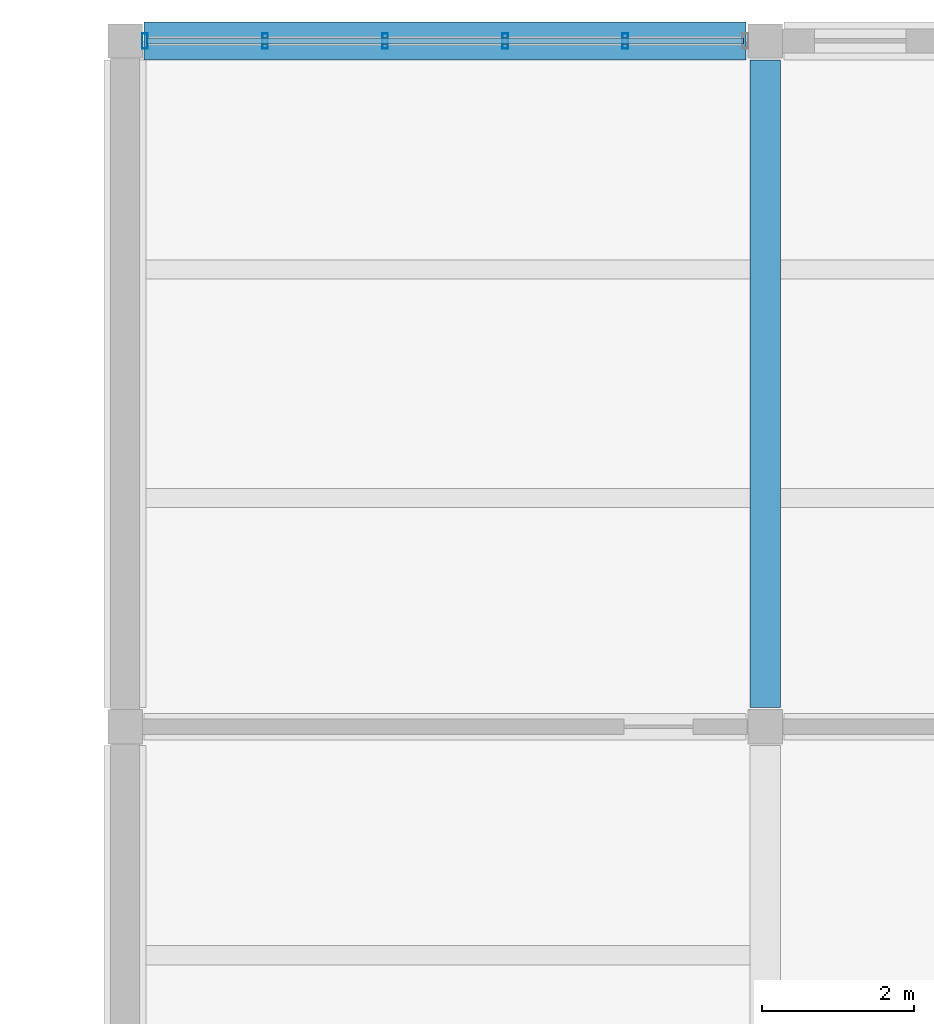
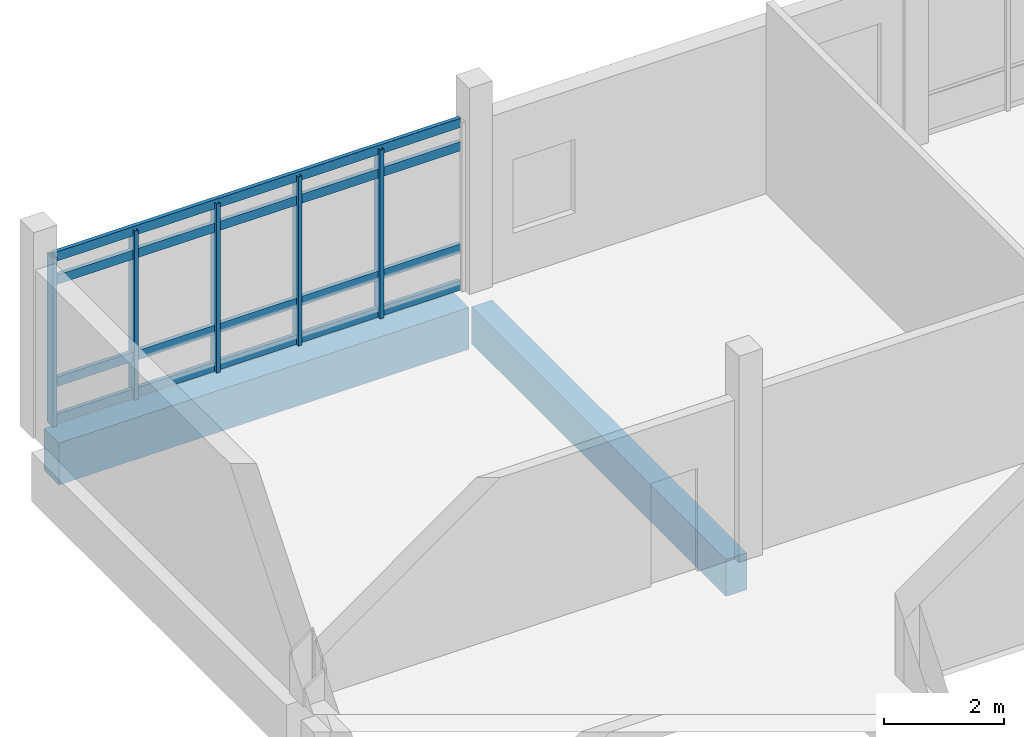
# One storey, part 35 of 62: 9 members, 2 beams, 1 element without a shape of its own.
"""IFC4 building model written with IfcOpenShell, lengths in metres."""

from ifc_helpers import new_model, si_unit, direction, frame, origin, origin_2d, place, context, subcontext, project, spatial, rectangle, hollow_rectangle, extrude, material, layer, layer_set, material_profile, profile_set, type_object, element, aggregate, save


model = new_model("IFC4")

# Units and contexts
model_context = context("Model", 3, precision=1e-05, world=origin(), true_north=direction((0.0, 1.0)))
body_context = subcontext(model_context, "Body", "Model", "MODEL_VIEW")
ifc_project = project(units=[si_unit("LENGTHUNIT", "METRE"), si_unit("AREAUNIT", "SQUARE_METRE"), si_unit("VOLUMEUNIT", "CUBIC_METRE"), si_unit("PLANEANGLEUNIT", "RADIAN"), si_unit("MASSUNIT", "GRAM", prefix="KILO")], contexts=[model_context])

# Site, building, storey
site_placement = place(None, origin())
site = spatial("IfcSite", under=ifc_project, at=site_placement, CompositionType="ELEMENT")
building_placement = place(site_placement, origin())
building = spatial("IfcBuilding", under=site, at=building_placement, Name="Vireocrest Preparatory School", CompositionType="ELEMENT")
storey_placement = place(building_placement, frame((0.0, 0.0, 17.39990234375)))
storey = spatial("IfcBuildingStorey", under=building, at=storey_placement, Name="L04", CompositionType="ELEMENT", Elevation=17.39990234375)

# Curtain wall, members
ifc_material_1 = material(Name="Thermally broken aluminium EN AW-6063-T6", Category="aluminium")
ifc_layer = layer(ifc_material_1, 0.179931640625)
ifc_layer_set = layer_set([ifc_layer], Name="Thermally broken aluminium EN AW-6063-T6")
curtain_wall_type = type_object("IfcCurtainWallType", Name="North Street Curtain Wall 8400x4000", PredefinedType="USERDEFINED", material=ifc_layer_set)
curtain_wall_placement = place(storey_placement, origin())
curtain_wall = element("IfcCurtainWall", 1, at=curtain_wall_placement, inside=storey, type_object=curtain_wall_type, Name="Curtain Wall CW05 CW_L04_CW05_0422_1128_174", ObjectType="CURTAIN WALL", PredefinedType="USERDEFINED")
ifc_material_profile_1 = material_profile(ifc_material_1, hollow_rectangle(XDim=0.074951171875, YDim=0.199951171875, WallThickness=0.0048828125, at=origin_2d()), Name="ALU 75x200x5")
ifc_profile_set_1 = profile_set([ifc_material_profile_1], Name="Thermally broken aluminium EN AW-6063-T6")
member_type_1 = type_object("IfcMemberType", Name="CW Mullion 75x200x5", PredefinedType="MULLION", material=ifc_profile_set_1)
member_1_placement = place(storey_placement, frame((42.260009765625, 112.800048828125, 0.0), z_axis=(0.0, 0.0, 1.0), x_axis=(1.0, 0.0, 0.0)))
member_1 = element("IfcMember", 2, at=member_1_placement, type_object=member_type_1, Name="CW Mullion ML3 CW_L04_CW05_0422_1128_174-1", PredefinedType="MULLION", context=body_context, shape_type="SweptSolid", body=[
    extrude(hollow_rectangle(XDim=0.074951171875, YDim=0.199951171875, WallThickness=0.0048828125, at=origin_2d()), origin(), (0.0, 0.0, 1.0), 3.445068359375),
])
member_2_placement = place(storey_placement, frame((43.8359375, 112.800048828125, 0.0), z_axis=(0.0, 0.0, 1.0), x_axis=(1.0, 0.0, 0.0)))
member_2 = element("IfcMember", 3, at=member_2_placement, type_object=member_type_1, Name="CW Mullion ML3 CW_L04_CW05_0422_1128_174-2", PredefinedType="MULLION", context=body_context, shape_type="SweptSolid", body=[
    extrude(hollow_rectangle(XDim=0.074951171875, YDim=0.199951171875, WallThickness=0.0048828125, at=origin_2d()), origin(), (0.0, 0.0, 1.0), 3.445068359375),
])
member_3_placement = place(storey_placement, frame((45.412109375, 112.800048828125, 0.0), z_axis=(0.0, 0.0, 1.0), x_axis=(1.0, 0.0, 0.0)))
member_3 = element("IfcMember", 4, at=member_3_placement, type_object=member_type_1, Name="CW Mullion ML3 CW_L04_CW05_0422_1128_174-3", PredefinedType="MULLION", context=body_context, shape_type="SweptSolid", body=[
    extrude(hollow_rectangle(XDim=0.074951171875, YDim=0.199951171875, WallThickness=0.0048828125, at=origin_2d()), origin(), (0.0, 0.0, 1.0), 3.445068359375),
])
member_4_placement = place(storey_placement, frame((46.988037109375, 112.800048828125, 0.0), z_axis=(0.0, 0.0, 1.0), x_axis=(1.0, 0.0, 0.0)))
member_4 = element("IfcMember", 5, at=member_4_placement, type_object=member_type_1, Name="CW Mullion ML3 CW_L04_CW05_0422_1128_174-4", PredefinedType="MULLION", context=body_context, shape_type="SweptSolid", body=[
    extrude(hollow_rectangle(XDim=0.074951171875, YDim=0.199951171875, WallThickness=0.0048828125, at=origin_2d()), origin(), (0.0, 0.0, 1.0), 3.445068359375),
])
member_5_placement = place(storey_placement, frame((48.56396484375, 112.800048828125, 0.0), z_axis=(0.0, 0.0, 1.0), x_axis=(1.0, 0.0, 0.0)))
member_5 = element("IfcMember", 6, at=member_5_placement, type_object=member_type_1, Name="CW Mullion ML3 CW_L04_CW05_0422_1128_174-5", PredefinedType="MULLION", context=body_context, shape_type="SweptSolid", body=[
    extrude(hollow_rectangle(XDim=0.074951171875, YDim=0.199951171875, WallThickness=0.0048828125, at=origin_2d()), origin(), (0.0, 0.0, 1.0), 3.445068359375),
])
ifc_material_profile_2 = material_profile(ifc_material_1, hollow_rectangle(XDim=0.074951171875, YDim=0.18994140625, WallThickness=0.00390625, at=origin_2d()), Name="ALU 75x190x4")
ifc_profile_set_2 = profile_set([ifc_material_profile_2], Name="Thermally broken aluminium EN AW-6063-T6")
member_type_2 = type_object("IfcMemberType", Name="CW Transom 75x190x4", PredefinedType="USERDEFINED", material=ifc_profile_set_2)
member_6_placement = place(storey_placement, frame((42.284912109375, 112.800048828125, 0.09521484375), z_axis=(1.0, 0.0, 0.0), x_axis=(0.0, 1.0, 0.0)))
member_6 = element("IfcMember", 7, at=member_6_placement, type_object=member_type_2, Name="CW Transom TR3 CW_L04_CW05_0422_1128_174-1", ObjectType="TRANSOM", PredefinedType="USERDEFINED", context=body_context, shape_type="SweptSolid", body=[
    extrude(hollow_rectangle(XDim=0.074951171875, YDim=0.18994140625, WallThickness=0.00390625, at=origin_2d()), origin(), (0.0, 0.0, 1.0), 7.830078125),
])
member_7_placement = place(storey_placement, frame((42.284912109375, 112.800048828125, 0.85009765625), z_axis=(1.0, 0.0, 0.0), x_axis=(0.0, 1.0, 0.0)))
member_7 = element("IfcMember", 8, at=member_7_placement, type_object=member_type_2, Name="CW Transom TR3 CW_L04_CW05_0422_1128_174-2", ObjectType="TRANSOM", PredefinedType="USERDEFINED", context=body_context, shape_type="SweptSolid", body=[
    extrude(hollow_rectangle(XDim=0.074951171875, YDim=0.18994140625, WallThickness=0.00390625, at=origin_2d()), origin(), (0.0, 0.0, 1.0), 7.830078125),
])
member_8_placement = place(storey_placement, frame((42.284912109375, 112.800048828125, 2.93017578125), z_axis=(1.0, 0.0, 0.0), x_axis=(0.0, 1.0, 0.0)))
member_8 = element("IfcMember", 9, at=member_8_placement, type_object=member_type_2, Name="CW Transom TR3 CW_L04_CW05_0422_1128_174-3", ObjectType="TRANSOM", PredefinedType="USERDEFINED", context=body_context, shape_type="SweptSolid", body=[
    extrude(hollow_rectangle(XDim=0.074951171875, YDim=0.18994140625, WallThickness=0.00390625, at=origin_2d()), origin(), (0.0, 0.0, 1.0), 7.830078125),
])
member_9_placement = place(storey_placement, frame((42.284912109375, 112.800048828125, 3.405029296875), z_axis=(1.0, 0.0, 0.0), x_axis=(0.0, 1.0, 0.0)))
member_9 = element("IfcMember", 10, at=member_9_placement, type_object=member_type_2, Name="CW Transom TR3 CW_L04_CW05_0422_1128_174-4", ObjectType="TRANSOM", PredefinedType="USERDEFINED", context=body_context, shape_type="SweptSolid", body=[
    extrude(hollow_rectangle(XDim=0.074951171875, YDim=0.18994140625, WallThickness=0.00390625, at=origin_2d()), origin(), (0.0, 0.0, 1.0), 7.830078125),
])
aggregate(curtain_wall, [member_1, member_2, member_3, member_4, member_5, member_6, member_7, member_8, member_9])

# Beams
ifc_material_2 = material(Name="Concrete 40 MPa", Category="concrete")
ifc_material_profile_3 = material_profile(ifc_material_2, rectangle(XDim=0.39990234375, YDim=0.75, at=origin_2d()), Name="RC 400x750")
ifc_profile_set_3 = profile_set([ifc_material_profile_3], Name="Concrete 40 MPa")
beam_type_1 = type_object("IfcBeamType", Name="RC Commons Girder 400x750", PredefinedType="BEAM", material=ifc_profile_set_3)
beam_1_placement = place(storey_placement, frame((50.39990234375, 104.050048828125, -0.614990234375), z_axis=(0.0, 1.0, 0.0), x_axis=(-1.0, 0.0, 0.0)))
element("IfcBeam", 11, at=beam_1_placement, inside=storey, type_object=beam_type_1, Name="Primary Girder B09 L04-1370", PredefinedType="BEAM", context=body_context, shape_type="SweptSolid", body=[
    extrude(rectangle(XDim=0.39990234375, YDim=0.75, at=origin_2d()), origin(), (0.0, 0.0, 1.0), 8.5),
])
ifc_material_profile_4 = material_profile(ifc_material_2, rectangle(XDim=0.5, YDim=0.85009765625, at=origin_2d()), Name="RC 500x850")
ifc_profile_set_4 = profile_set([ifc_material_profile_4], Name="Concrete 40 MPa")
beam_type_2 = type_object("IfcBeamType", Name="RC Podium Girder 500x850", PredefinedType="BEAM", material=ifc_profile_set_4)
beam_2_placement = place(storey_placement, frame((42.25, 112.800048828125, -0.664794921875), z_axis=(1.0, 0.0, 0.0), x_axis=(0.0, 1.0, 0.0)))
element("IfcBeam", 12, at=beam_2_placement, inside=storey, type_object=beam_type_2, Name="Primary Girder B14 L04-1344", PredefinedType="BEAM", context=body_context, shape_type="SweptSolid", body=[
    extrude(rectangle(XDim=0.5, YDim=0.85009765625, at=origin_2d()), origin(), (0.0, 0.0, 1.0), 7.89990234375),
])

save(model, "model.ifc")
